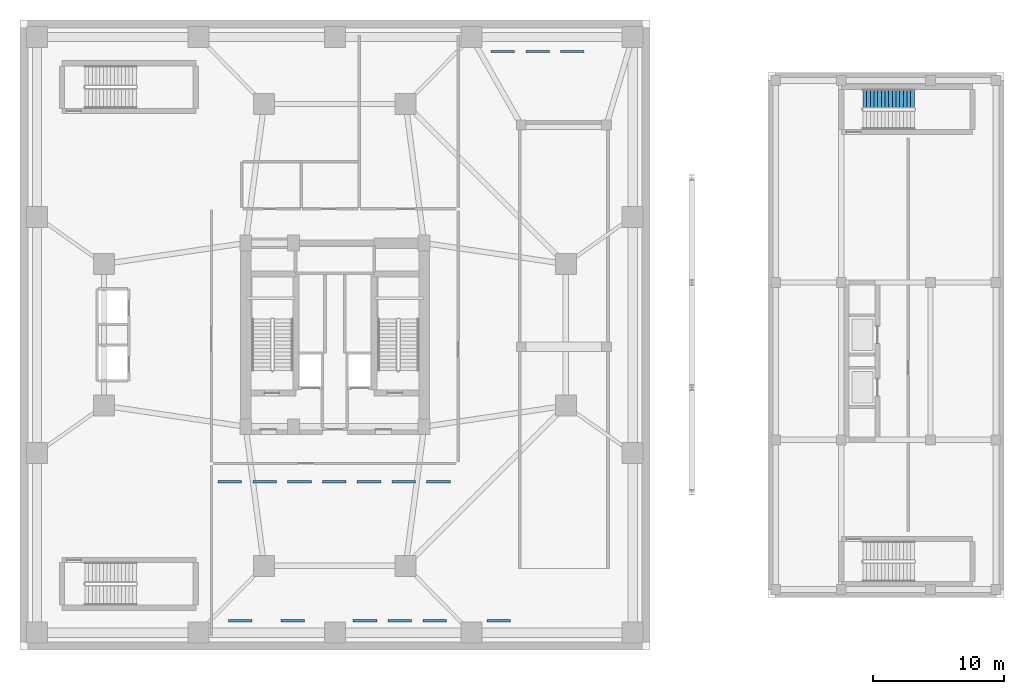
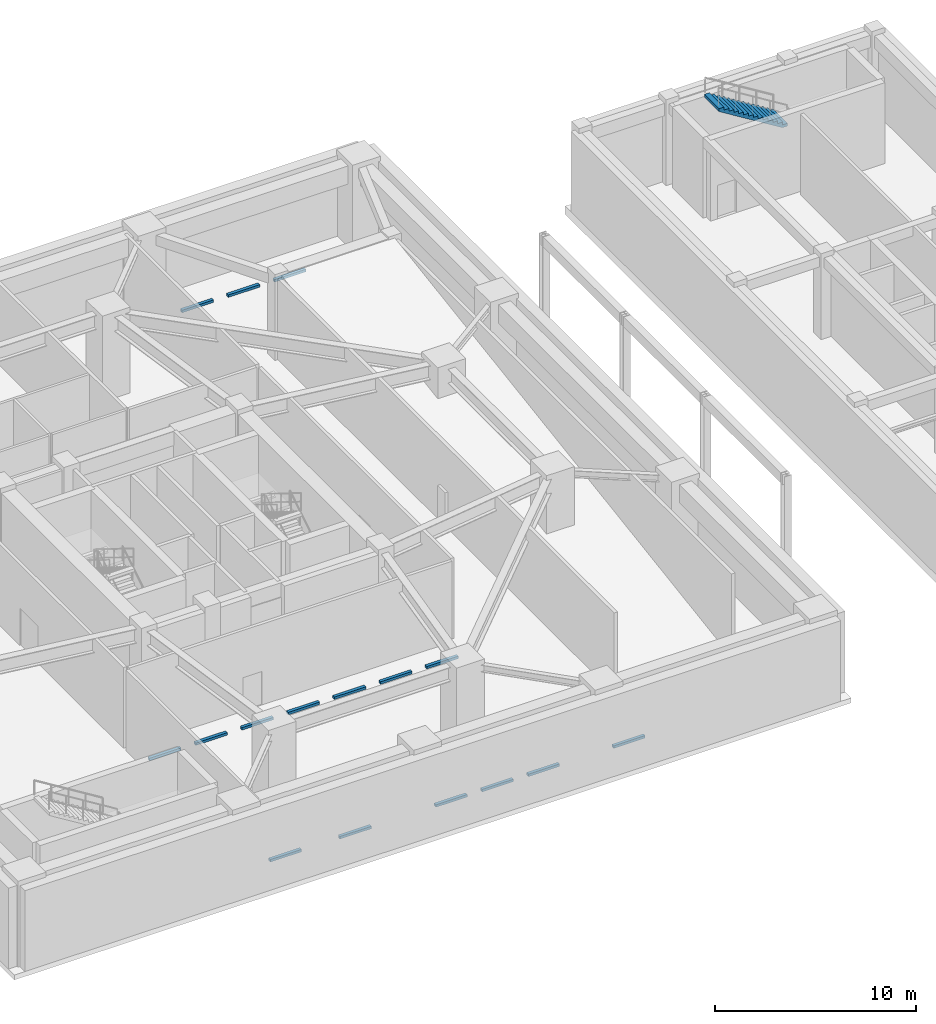
# One storey, part 8 of 13: 16 discrete accessories, 1 stair flight, 1 element without a shape of its own.
"""IFC4 building model written with IfcOpenShell, lengths in metres."""

import ifcopenshell
import ifcopenshell.guid

model = None  # the IFC model being written
_history = None  # IfcOwnerHistory: only IFC2X3 demands one
_inside = {}  # id of a spatial element -> (the spatial element, [elements in it])
_under = {}  # id of a project, library or spatial element -> (it, [spatial elements below it])
_declared = {}  # id of a project -> (the project, [libraries it declares])
_typed = {}  # id of a type object -> (the type object, [elements of that type])
_made_of = {}  # id of a material, layer set ... -> (it, [elements and type objects made of it])


def new_model(schema):
    """Start an empty IFC model of exactly this schema.

    Asked for "IFC4X3", IfcOpenShell would pick the latest addendum, in which some entities
    have other attributes; the version numbers below select the first issue.
    IFC2X3 requires an IfcOwnerHistory on every rooted entity: one is made here for all.
    """
    global model, _history
    if schema == "IFC4X3":
        model = ifcopenshell.file(schema_version=(4, 3, 0, 0))
    else:
        model = ifcopenshell.file(schema=schema)
    _inside.clear()
    _under.clear()
    _declared.clear()
    _typed.clear()
    _made_of.clear()
    _history = None
    if model.schema == "IFC2X3":
        org = make("IfcOrganization", Name="unknown")
        user = make(
            "IfcPersonAndOrganization",
            ThePerson=make("IfcPerson", FamilyName="unknown"),
            TheOrganization=org,
        )
        app = make(
            "IfcApplication",
            ApplicationDeveloper=org,
            Version="unknown",
            ApplicationFullName="unknown",
            ApplicationIdentifier="unknown",
        )
        _history = make(
            "IfcOwnerHistory",
            OwningUser=user,
            OwningApplication=app,
            ChangeAction="ADDED",
            CreationDate=0,
        )
    return model


def make(cls, **values):
    """One entity of the class cls with the attributes given. An attribute that is None is left unset."""
    return model.create_entity(
        cls, **{name: value for name, value in values.items() if value is not None}
    )


def rooted(cls, **values):
    """An entity with a GlobalId (a new one), such as an element, a storey or a relation."""
    return make(cls, GlobalId=ifcopenshell.guid.new(), OwnerHistory=_history, **values)


def si_unit(unit_type, name, prefix=None):
    """IfcSIUnit, for example si_unit("LENGTHUNIT", "METRE", prefix="MILLI")."""
    return make("IfcSIUnit", UnitType=unit_type, Prefix=prefix, Name=name)


def assignment(units):
    """IfcUnitAssignment: the units of a project."""
    return None if units is None else make("IfcUnitAssignment", Units=units)


def point(xyz):
    """IfcCartesianPoint."""
    return None if xyz is None else make("IfcCartesianPoint", Coordinates=xyz)


def direction(xyz):
    """IfcDirection."""
    return None if xyz is None else make("IfcDirection", DirectionRatios=xyz)


def frame(location, z_axis=None, x_axis=None):
    """IfcAxis2Placement3D, a coordinate frame: its origin and axes. An axis left out is left unset."""
    return make(
        "IfcAxis2Placement3D",
        Location=point(location),
        Axis=direction(z_axis),
        RefDirection=direction(x_axis),
    )


def frame_2d(location, x_axis=None):
    """IfcAxis2Placement2D, a coordinate frame in the plane: its origin and x axis."""
    return make(
        "IfcAxis2Placement2D", Location=point(location), RefDirection=direction(x_axis)
    )


def origin():
    """The frame at (0, 0, 0) with its axes left unset."""
    return frame((0.0, 0.0, 0.0))


def origin_2d():
    """The frame at (0, 0) in the plane with its x axis left unset."""
    return frame_2d((0.0, 0.0))


def place(relative_to, where):
    """IfcLocalPlacement: puts the frame where relative to a parent placement (None: the world)."""
    return make(
        "IfcLocalPlacement", PlacementRelTo=relative_to, RelativePlacement=where
    )


def context(
    kind, dimensions, precision=None, world=None, true_north=None, identifier=None
):
    """IfcGeometricRepresentationContext, for example the 3D "Model" context."""
    return make(
        "IfcGeometricRepresentationContext",
        ContextIdentifier=identifier,
        ContextType=kind,
        CoordinateSpaceDimension=dimensions,
        Precision=precision,
        WorldCoordinateSystem=world,
        TrueNorth=true_north,
    )


def subcontext(parent, identifier, kind, view, scale=None):
    """IfcGeometricRepresentationSubContext, for example "Body" below "Model"."""
    return make(
        "IfcGeometricRepresentationSubContext",
        ContextIdentifier=identifier,
        ContextType=kind,
        ParentContext=parent,
        TargetScale=scale,
        TargetView=view,
    )


def project(units=None, contexts=None):
    """IfcProject with its units and contexts."""
    return rooted(
        "IfcProject",
        Name="project",
        RepresentationContexts=contexts,
        UnitsInContext=assignment(units),
    )


def spatial(cls, under=None, at=None, **own):
    """A site, building, storey or space (cls), placed at a placement, below another one or the project."""
    s = rooted(cls, ObjectPlacement=at, **own)
    if under is not None:
        _under.setdefault(under.id(), (under, []))[1].append(s)
    return s


def polyline(points):
    """IfcPolyline through the points."""
    return make("IfcPolyline", Points=[point(p) for p in points])


def profile(cls, at=None, kind="AREA", **sizes):
    """A parametric profile (cls). Its sizes go by their IFC names, for example OverallWidth=200.0."""
    return make(cls, ProfileType=kind, Position=at, **sizes)


def rectangle(**sizes):
    """IfcRectangleProfileDef."""
    return profile("IfcRectangleProfileDef", **sizes)


def outline(outer, holes=None, kind="AREA"):
    """IfcArbitraryClosedProfileDef: a profile drawn as a closed curve; with holes, ...WithVoids."""
    if holes is None:
        return make("IfcArbitraryClosedProfileDef", ProfileType=kind, OuterCurve=outer)
    return make(
        "IfcArbitraryProfileDefWithVoids",
        ProfileType=kind,
        OuterCurve=outer,
        InnerCurves=holes,
    )


def extrude(swept, where, along, depth):
    """IfcExtrudedAreaSolid: the profile swept, set in the frame where, extruded along a direction by depth."""
    return make(
        "IfcExtrudedAreaSolid",
        SweptArea=swept,
        Position=where,
        ExtrudedDirection=direction(along),
        Depth=depth,
    )


def shape(context_of_items, identifier, shape_type, items):
    """IfcShapeRepresentation: the items that make up one representation, for example the "Body"."""
    return make(
        "IfcShapeRepresentation",
        ContextOfItems=context_of_items,
        RepresentationIdentifier=identifier,
        RepresentationType=shape_type,
        Items=items,
    )


def source(mapping_origin, context_of_items, identifier, shape_type, items):
    """IfcRepresentationMap: a shape defined once, which mapped items show again and again."""
    return make(
        "IfcRepresentationMap",
        MappingOrigin=mapping_origin,
        MappedRepresentation=shape(context_of_items, identifier, shape_type, items),
    )


def transform(
    local_origin,
    x_axis=None,
    y_axis=None,
    z_axis=None,
    scale=None,
    scale2=None,
    scale3=None,
    uniform=True,
):
    """IfcCartesianTransformationOperator3D, or its non-uniform kind. x_axis, y_axis, z_axis: its Axis1, 2, 3."""
    if uniform:
        return make(
            "IfcCartesianTransformationOperator3D",
            Axis1=direction(x_axis),
            Axis2=direction(y_axis),
            LocalOrigin=point(local_origin),
            Scale=scale,
            Axis3=direction(z_axis),
        )
    return make(
        "IfcCartesianTransformationOperator3DnonUniform",
        Axis1=direction(x_axis),
        Axis2=direction(y_axis),
        LocalOrigin=point(local_origin),
        Scale=scale,
        Axis3=direction(z_axis),
        Scale2=scale2,
        Scale3=scale3,
    )


def mapped(mapping_source, mapping_target):
    """IfcMappedItem: shows the shape of a source again, moved by a transform."""
    return make(
        "IfcMappedItem", MappingSource=mapping_source, MappingTarget=mapping_target
    )


def material(Name=None, Category=None):
    """IfcMaterial."""
    return make("IfcMaterial", Name=Name, Category=Category)


def made_of(thing, what):
    """Note that an element or type object is made of a material, layer set ...; save() writes the relation."""
    if what is not None:
        _made_of.setdefault(what.id(), (what, []))[1].append(thing)
    return thing


def type_object(cls, material=None, **own):
    """A type object (cls), such as IfcWallType, which elements share."""
    return made_of(rooted(cls, **own), material)


def element(
    cls,
    number,
    at=None,
    inside=None,
    cuts=None,
    type_object=None,
    material=None,
    context=None,
    identifier="Body",
    shape_type=None,
    held_by="IfcProductDefinitionShape",
    body=None,
    shapes=None,
    **own,
):
    """One element of the class cls, such as IfcWall. Its Tag is "e" and its number.

    at: its placement. inside: the storey or other place that contains it. cuts: it is an
    opening in that element (IfcRelVoidsElement). A single representation is given by context,
    identifier, shape_type and body (its items); several are given by shapes. held_by: the class
    of the entity that holds the representations. save() writes the other relations.
    """
    e = rooted(cls, Tag="e%d" % number, ObjectPlacement=at, **own)
    if body is not None:
        shapes = [shape(context, identifier, shape_type, body)]
    if shapes is not None:
        e.Representation = make(held_by, Representations=shapes)
    if inside is not None:
        _inside.setdefault(inside.id(), (inside, []))[1].append(e)
    if cuts is not None:
        rooted(
            "IfcRelVoidsElement", RelatingBuildingElement=cuts, RelatedOpeningElement=e
        )
    if type_object is not None:
        _typed.setdefault(type_object.id(), (type_object, []))[1].append(e)
    return made_of(e, material)


def aggregate(whole, parts):
    """IfcRelAggregates: a whole, such as a stair, and the parts it consists of."""
    return rooted("IfcRelAggregates", RelatingObject=whole, RelatedObjects=parts)


def save(model, path):
    """Write the relations noted so far, then the file.

    IfcRelAggregates (storeys below a building ...), IfcRelContainedInSpatialStructure (elements
    in a storey), IfcRelDefinesByType, IfcRelAssociatesMaterial and IfcRelDeclares: one each for
    every whole, place, type object, material and project.
    """
    for whole, parts in _under.values():
        aggregate(whole, parts)
    for where, things in _inside.values():
        rooted(
            "IfcRelContainedInSpatialStructure",
            RelatedElements=things,
            RelatingStructure=where,
        )
    for kind, things in _typed.values():
        rooted("IfcRelDefinesByType", RelatedObjects=things, RelatingType=kind)
    for what, things in _made_of.values():
        rooted("IfcRelAssociatesMaterial", RelatedObjects=things, RelatingMaterial=what)
    for by, libraries in _declared.values():
        rooted("IfcRelDeclares", RelatingContext=by, RelatedDefinitions=libraries)
    model.write(path)


model = new_model("IFC4")

# Units and contexts
model_context = context("Model", 3, precision=1e-05, world=origin(), true_north=direction((0.0, 1.0)))
body_context = subcontext(model_context, "Body", "Model", "MODEL_VIEW")
ifc_project = project(units=[si_unit("LENGTHUNIT", "METRE"), si_unit("AREAUNIT", "SQUARE_METRE"), si_unit("VOLUMEUNIT", "CUBIC_METRE"), si_unit("PLANEANGLEUNIT", "RADIAN"), si_unit("MASSUNIT", "GRAM", prefix="KILO")], contexts=[model_context])

# Site, building, storey
site_placement = place(None, origin())
site = spatial("IfcSite", under=ifc_project, at=site_placement, CompositionType="ELEMENT")
building_placement = place(site_placement, origin())
building = spatial("IfcBuilding", under=site, at=building_placement, Name="Veraguas Prism Commons", CompositionType="ELEMENT")
storey_placement = place(building_placement, frame((0.0, 0.0, -5.199951171875)))
storey = spatial("IfcBuildingStorey", under=building, at=storey_placement, Name="B1", CompositionType="ELEMENT", Elevation=-5.199951171875)

# Stair, stair flight
ifc_material_1 = material(Name="Precast concrete C45/55", Category="concrete")
stair_type = type_object("IfcStairType", Name="Dogleg Core Stair 1450W 30R 13", PredefinedType="HALF_TURN_STAIR", material=ifc_material_1)
stair_placement = place(storey_placement, origin())
stair = element("IfcStair", 1, at=stair_placement, inside=storey, type_object=stair_type, Name="Protected Exit Stair ST-H2 B1", PredefinedType="HALF_TURN_STAIR")
stair_flight_type = type_object("IfcStairFlightType", Name="Precast Stair Flight 1450W 15R 13", PredefinedType="STRAIGHT", material=ifc_material_1)
stair_flight_placement = place(storey_placement, frame((68.169921875, 41.985107421875, 2.599853515625), z_axis=(0.0, 0.0, 1.0), x_axis=(-1.0, 0.0, 0.0)))
stair_flight = element("IfcStairFlight", 2, at=stair_flight_placement, type_object=stair_flight_type, Name="ST-13 Flight 2", NumberOfRisers=15, NumberOfTreads=14, PredefinedType="STRAIGHT", RiserHeight=0.173333333, TreadLength=0.28, context=body_context, shape_type="SweptSolid", body=[
    extrude(outline(polyline([(0.0, 0.0), (0.0, 0.17333984375), (0.280029296875, 0.17333984375), (0.280029296875, 0.3466796875), (0.56005859375, 0.3466796875), (0.56005859375, 0.52001953125), (0.840087890625, 0.52001953125), (0.840087890625, 0.693359375), (1.1201171875, 0.693359375), (1.1201171875, 0.86669921875), (1.39990234375, 0.86669921875), (1.39990234375, 1.0400390625), (1.679931640625, 1.0400390625), (1.679931640625, 1.21337890625), (1.9599609375, 1.21337890625), (1.9599609375, 1.38671875), (2.239990234375, 1.38671875), (2.239990234375, 1.56005859375), (2.52001953125, 1.56005859375), (2.52001953125, 1.7333984375), (2.800048828125, 1.7333984375), (2.800048828125, 1.90673828125), (3.080078125, 1.90673828125), (3.080078125, 2.080078125), (3.360107421875, 2.080078125), (3.360107421875, 2.25341796875), (3.639892578125, 2.25341796875), (3.639892578125, 2.4267578125), (3.919921875, 2.4267578125), (3.919921875, 2.60009765625), (3.919921875, 2.250244140625), (0.284912109375, 0.0), (0.0, 0.0)])), frame((0.0, 0.72509765625, 0.0), z_axis=(0.0, -1.0, 0.0), x_axis=(1.0, 0.0, 0.0)), (0.0, 0.0, 1.0), 1.449951171875),
])
aggregate(stair, [stair_flight])

# Discrete accessories
ifc_material_2 = material(Name="Stainless steel AISI 316", Category="steel")
discrete_accessory_type = type_object("IfcDiscreteAccessoryType", Name="Facade Fin Support Bracket", PredefinedType="BRACKET", material=ifc_material_2)
shared_shape = source(origin(), body_context, "Body", "SweptSolid", [
    extrude(rectangle(XDim=1.800048828125, YDim=0.179931640625, at=origin_2d()), origin(), (0.0, 0.0, 1.0), 0.14990234375),
])
for number, where, z_axis, x_axis, name in (
    (3, (16.800048828125, 2.199951171875, 0.0), (0.0, 0.0, 1.0), (1.0, 0.0, 0.0), "Accessible Parking Bay 1 Wheel Stop"),
    (4, (20.800048828125, 2.199951171875, 0.0), (0.0, 0.0, 1.0), (1.0, 0.0, 0.0), "Accessible Parking Bay 2 Wheel Stop"),
    (5, (26.300048828125, 2.199951171875, 0.0), (0.0, 0.0, 1.0), (1.0, 0.0, 0.0), "Parking Bay 1 Wheel Stop"),
    (6, (28.949951171875, 2.199951171875, 0.0), (0.0, 0.0, 1.0), (1.0, 0.0, 0.0), "Parking Bay 2 Wheel Stop"),
    (7, (31.60009765625, 2.199951171875, 0.0), (0.0, 0.0, 1.0), (1.0, 0.0, 0.0), "Parking Bay 3 Wheel Stop"),
    (8, (36.5, 2.199951171875, 0.0), (0.0, 0.0, 1.0), (1.0, 0.0, 0.0), "Parking Bay 4 Wheel Stop"),
    (9, (16.0, 12.800048828125, 0.0), (0.0, 0.0, 1.0), (1.0, 0.0, 0.0), "Parking Bay 5 Wheel Stop"),
    (10, (18.64990234375, 12.800048828125, 0.0), (0.0, 0.0, 1.0), (1.0, 0.0, 0.0), "Parking Bay 6 Wheel Stop"),
    (11, (21.300048828125, 12.800048828125, 0.0), (0.0, 0.0, 1.0), (1.0, 0.0, 0.0), "Parking Bay 7 Wheel Stop"),
    (12, (23.949951171875, 12.800048828125, 0.0), (0.0, 0.0, 1.0), (1.0, 0.0, 0.0), "Parking Bay 8 Wheel Stop"),
    (13, (26.60009765625, 12.800048828125, 0.0), (0.0, 0.0, 1.0), (1.0, 0.0, 0.0), "Parking Bay 9 Wheel Stop"),
    (14, (29.25, 12.800048828125, 0.0), (0.0, 0.0, 1.0), (1.0, 0.0, 0.0), "Parking Bay 10 Wheel Stop"),
    (15, (31.89990234375, 12.800048828125, 0.0), (0.0, 0.0, 1.0), (1.0, 0.0, 0.0), "Parking Bay 11 Wheel Stop"),
    (16, (36.800048828125, 45.60009765625, 0.0), (0.0, 0.0, 1.0), (1.0, 0.0, 0.0), "Parking Bay 12 Wheel Stop"),
    (17, (39.449951171875, 45.60009765625, 0.0), (0.0, 0.0, 1.0), (1.0, 0.0, 0.0), "Parking Bay 13 Wheel Stop"),
    (18, (42.10009765625, 45.60009765625, 0.0), (0.0, 0.0, 1.0), (1.0, 0.0, 0.0), "Parking Bay 14 Wheel Stop"),
):
    element("IfcDiscreteAccessory", number, at=place(storey_placement, frame(where, z_axis=z_axis, x_axis=x_axis)), inside=storey, type_object=discrete_accessory_type, Name=name, PredefinedType="BRACKET", context=body_context, shape_type="MappedRepresentation", body=[
        mapped(shared_shape, transform((0.0, 0.0, 0.0), scale=1.0)),
    ])

save(model, "model.ifc")
